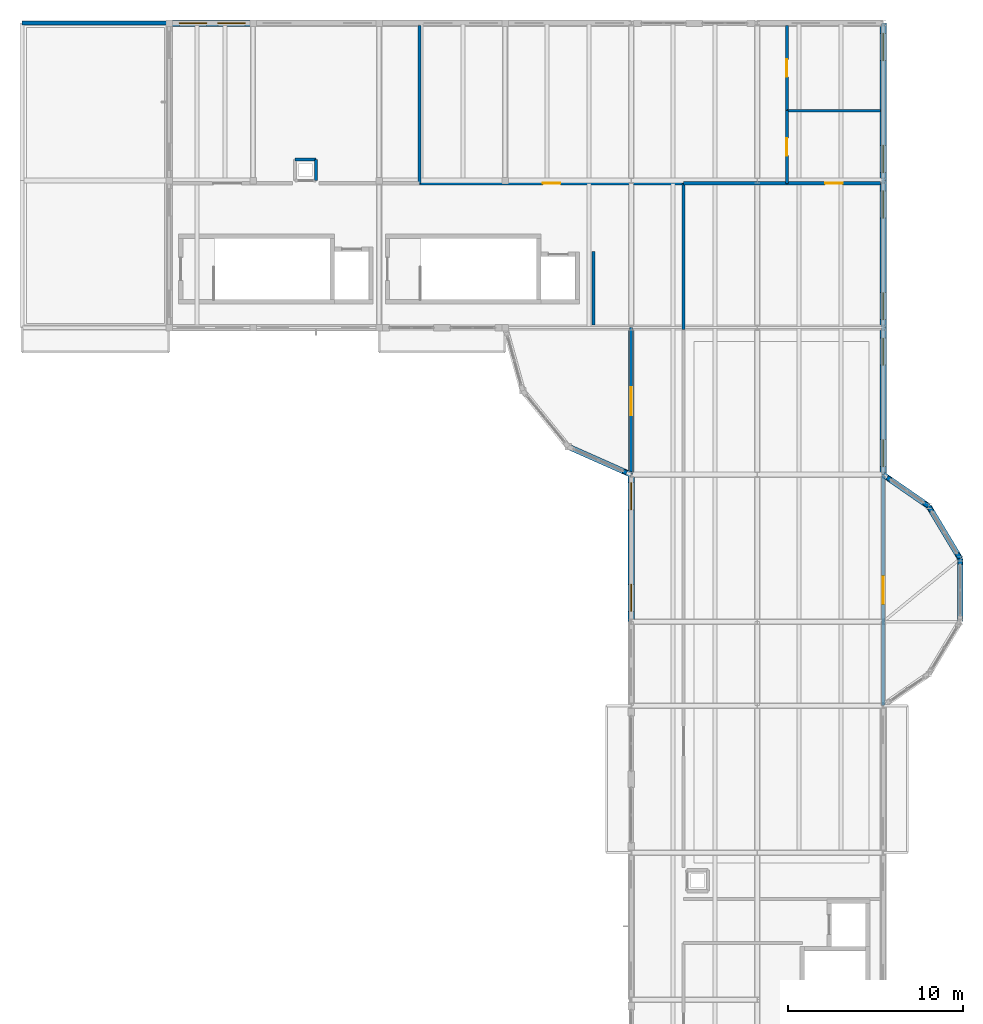
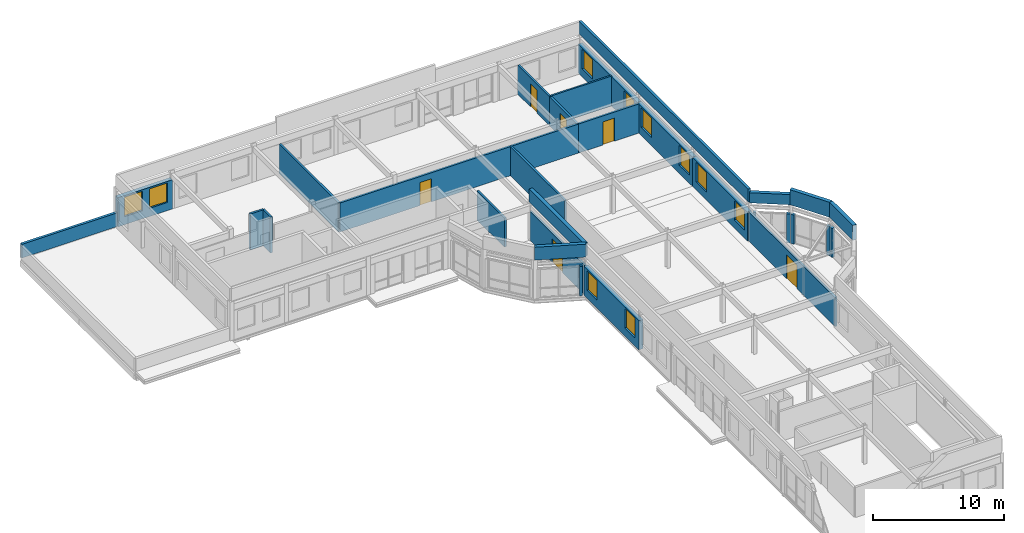
# One storey, part 18 of 21: 31 walls, 10 windows, 6 doors, 16 openings.
"""IFC4 building model written with IfcOpenShell, lengths in metres."""

from ifc_helpers import new_model, si_unit, direction, frame, frame_2d, origin, place, context, subcontext, project, spatial, rectangle, extrude, material, layer, layer_set, type_object, element, fill, save


model = new_model("IFC4")

# Units and contexts
model_context = context("Model", 3, precision=1e-05, world=origin(), true_north=direction((0.0, 1.0)))
body_context = subcontext(model_context, "Body", "Model", "MODEL_VIEW")
ifc_project = project(units=[si_unit("LENGTHUNIT", "METRE"), si_unit("AREAUNIT", "SQUARE_METRE"), si_unit("VOLUMEUNIT", "CUBIC_METRE"), si_unit("PLANEANGLEUNIT", "RADIAN"), si_unit("MASSUNIT", "GRAM", prefix="KILO")], contexts=[model_context])

# Site, building, storey
site_placement = place(None, origin())
site = spatial("IfcSite", under=ifc_project, at=site_placement, CompositionType="ELEMENT")
building_placement = place(site_placement, origin())
building = spatial("IfcBuilding", under=site, at=building_placement, Name="Kahlenmark Community Centre", CompositionType="ELEMENT")
storey_placement = place(building_placement, frame((0.0, 0.0, 21.60009765625)))
storey = spatial("IfcBuildingStorey", under=building, at=storey_placement, Name="L05", CompositionType="ELEMENT", Elevation=21.60009765625)

# Walls
ifc_material_1 = material(Name="Cross-laminated timber CLT C24", Category="wood")
ifc_layer_1 = layer(ifc_material_1, 0.239990234375)
ifc_layer_set_1 = layer_set([ifc_layer_1], Name="Cross-laminated timber CLT C24")
wall_type_1 = type_object("IfcWallType", Name="WT-EW-240", PredefinedType="SOLIDWALL", material=ifc_layer_set_1)
for number, where, z_axis, x_axis, name in (
    (1, (91.199951171875, 84.06005859375, 0.0), (0.0, 0.0, 1.0), (0.0, 1.0, 0.0), "Rotunda pier closure 0761"),
    (2, (91.199951171875, 84.39990234375, 0.0), (0.0, 0.0, 1.0), (-0.514284482632, 0.857619653998, 0.0), "Rotunda pier closure 0762"),
):
    element("IfcWall", number, at=place(storey_placement, frame(where, z_axis=z_axis, x_axis=x_axis)), inside=storey, type_object=wall_type_1, Name=name, PredefinedType="SOLIDWALL", context=body_context, shape_type="SweptSolid", body=[
        extrude(rectangle(XDim=0.33984375, YDim=0.239990234375, at=frame_2d((0.169921875, 0.0))), origin(), (0.0, 0.0, 1.0), 2.7099609375),
    ])
wall_1_placement = place(storey_placement, frame((89.574951171875, 87.1083984375, 0.0), z_axis=(0.0, 0.0, 1.0), x_axis=(-0.514812489021, 0.857302805984, 0.0)))
element("IfcWall", 3, at=wall_1_placement, inside=storey, type_object=wall_type_1, Name="Rotunda pier closure 0763", PredefinedType="SOLIDWALL", context=body_context, shape_type="SweptSolid", body=[
    extrude(rectangle(XDim=0.340087890625, YDim=0.239990234375, at=frame_2d((0.169921875, 0.0))), origin(), (0.0, 0.0, 1.0), 2.7099609375),
])
wall_2_placement = place(storey_placement, frame((89.39990234375, 87.39990234375, 0.0), z_axis=(0.0, 0.0, 1.0), x_axis=(-0.821855834467, 0.569695521619, 0.0)))
element("IfcWall", 4, at=wall_2_placement, inside=storey, type_object=wall_type_1, Name="Rotunda pier closure 0764", PredefinedType="SOLIDWALL", context=body_context, shape_type="SweptSolid", body=[
    extrude(rectangle(XDim=0.33984375, YDim=0.239990234375, at=frame_2d((0.169921875, 0.0))), origin(), (0.0, 0.0, 1.0), 2.7099609375),
])
for number, where, z_axis, x_axis, name in (
    (5, (87.211181640625, 88.915283203125, 0.0), (0.0, 0.0, 1.0), (-0.822192191644, 0.56920997883, 0.0), "Rotunda pier closure 0765"),
    (6, (71.943115234375, 89.403076171875, 0.0), (0.0, 0.0, 1.0), (0.913719959968, -0.406344477944, 0.0), "Rotunda pier closure 0803"),
):
    element("IfcWall", number, at=place(storey_placement, frame(where, z_axis=z_axis, x_axis=x_axis)), inside=storey, type_object=wall_type_1, Name=name, PredefinedType="SOLIDWALL", context=body_context, shape_type="SweptSolid", body=[
        extrude(rectangle(XDim=0.219970703125, YDim=0.239990234375, at=frame_2d((0.10986328125, 0.0))), origin(), (0.0, 0.0, 1.0), 2.7099609375),
    ])

# Wall, openings, windows
ifc_material_2 = material(Name="Danube limestone masonry", Category="masonry")
ifc_layer_2 = layer(ifc_material_2, 0.360107421875)
ifc_layer_set_2 = layer_set([ifc_layer_2], Name="Danube limestone masonry")
wall_type_2 = type_object("IfcWallType", Name="WT-EW-360", PredefinedType="SOLIDWALL", material=ifc_layer_set_2)
wall_3_placement = place(storey_placement, frame((50.800048828125, 115.0, 0.0), z_axis=(0.0, 0.0, 1.0), x_axis=(-1.0, 0.0, 0.0)))
wall_3 = element("IfcWall", 7, at=wall_3_placement, inside=storey, type_object=wall_type_2, Name="Exterior wall WL-EXT-L05-0672", PredefinedType="SOLIDWALL", context=body_context, shape_type="SweptSolid", body=[
    extrude(rectangle(XDim=4.800048828125, YDim=0.360107421875, at=frame_2d((2.39990234375, 0.0))), origin(), (0.0, 0.0, 1.0), 2.7099609375),
])
opening_1_placement = place(wall_3_placement, frame((0.4599609375, 0.0, 0.75)))
opening_1 = element("IfcOpeningElement", 8, at=opening_1_placement, cuts=wall_3, Name="Opening W-155X182", PredefinedType="OPENING", context=body_context, shape_type="SweptSolid", body=[
    extrude(rectangle(XDim=1.550048828125, YDim=1.820068359375, at=frame_2d((0.77490234375, 0.91015625))), frame((0.0, 0.18994140625, 0.0), z_axis=(0.0, -1.0, 0.0), x_axis=(1.0, 0.0, 0.0)), (0.0, 0.0, 1.0), 0.380126953125),
])
opening_2_placement = place(wall_3_placement, frame((2.659912109375, 0.0, 0.75)))
opening_2 = element("IfcOpeningElement", 9, at=opening_2_placement, cuts=wall_3, Name="Opening W-155X182", PredefinedType="OPENING", context=body_context, shape_type="SweptSolid", body=[
    extrude(rectangle(XDim=1.550048828125, YDim=1.820068359375, at=frame_2d((0.77490234375, 0.91015625))), frame((0.0, 0.18994140625, 0.0), z_axis=(0.0, -1.0, 0.0), x_axis=(1.0, 0.0, 0.0)), (0.0, 0.0, 1.0), 0.380126953125),
])
ifc_material_3 = material(Name="Deep-reveal limestone punched triple glazing", Category="masonry")
window_type = type_object("IfcWindowType", Name="WNT-155X182", PartitioningType="DOUBLE_PANEL_HORIZONTAL", PredefinedType="WINDOW", material=ifc_material_3)
window_1_placement = place(opening_1_placement, origin())
window_1 = element("IfcWindow", 10, at=window_1_placement, inside=storey, type_object=window_type, Name="Window W-155X182 #0451", OverallHeight=1.820068359375, OverallWidth=1.550048828125, PartitioningType="DOUBLE_PANEL_HORIZONTAL", PredefinedType="WINDOW", context=body_context, shape_type="SweptSolid", body=[
    extrude(rectangle(XDim=1.550048828125, YDim=1.820068359375, at=frame_2d((0.77490234375, 0.91015625))), frame((0.0, 0.030029296875, 0.0), z_axis=(0.0, -1.0, 0.0), x_axis=(1.0, 0.0, 0.0)), (0.0, 0.0, 1.0), 0.06005859375),
])
fill(opening_1, window_1)
window_2_placement = place(opening_2_placement, origin())
window_2 = element("IfcWindow", 11, at=window_2_placement, inside=storey, type_object=window_type, Name="Window W-155X182 #0452", OverallHeight=1.820068359375, OverallWidth=1.550048828125, PartitioningType="DOUBLE_PANEL_HORIZONTAL", PredefinedType="WINDOW", context=body_context, shape_type="SweptSolid", body=[
    extrude(rectangle(XDim=1.550048828125, YDim=1.820068359375, at=frame_2d((0.77490234375, 0.91015625))), frame((0.0, 0.030029296875, 0.0), z_axis=(0.0, -1.0, 0.0), x_axis=(1.0, 0.0, 0.0)), (0.0, 0.0, 1.0), 0.06005859375),
])
fill(opening_2, window_2)

wall_4_placement = place(storey_placement, frame((86.800048828125, 97.60009765625, 0.0), z_axis=(0.0, 0.0, 1.0), x_axis=(0.0, 1.0, 0.0)))
wall_4 = element("IfcWall", 12, at=wall_4_placement, inside=storey, type_object=wall_type_2, Name="Exterior wall WL-EXT-L05-0682", PredefinedType="SOLIDWALL", context=body_context, shape_type="SweptSolid", body=[
    extrude(rectangle(XDim=8.39990234375, YDim=0.360107421875, at=frame_2d((4.199951171875, 0.0))), origin(), (0.0, 0.0, 1.0), 2.7099609375),
])
opening_3_placement = place(wall_4_placement, frame((0.4599609375, 0.0, 0.75)))
opening_3 = element("IfcOpeningElement", 13, at=opening_3_placement, cuts=wall_4, Name="Opening W-155X182", PredefinedType="OPENING", context=body_context, shape_type="SweptSolid", body=[
    extrude(rectangle(XDim=1.550048828125, YDim=1.820068359375, at=frame_2d((0.77490234375, 0.91015625))), frame((0.0, 0.18994140625, 0.0), z_axis=(0.0, -1.0, 0.0), x_axis=(1.0, 0.0, 0.0)), (0.0, 0.0, 1.0), 0.380126953125),
])
opening_4_placement = place(wall_4_placement, frame((6.260009765625, 0.0, 0.75)))
opening_4 = element("IfcOpeningElement", 14, at=opening_4_placement, cuts=wall_4, Name="Opening W-155X182", PredefinedType="OPENING", context=body_context, shape_type="SweptSolid", body=[
    extrude(rectangle(XDim=1.550048828125, YDim=1.820068359375, at=frame_2d((0.77490234375, 0.91015625))), frame((0.0, 0.18994140625, 0.0), z_axis=(0.0, -1.0, 0.0), x_axis=(1.0, 0.0, 0.0)), (0.0, 0.0, 1.0), 0.380126953125),
])
window_3_placement = place(opening_3_placement, origin())
window_3 = element("IfcWindow", 15, at=window_3_placement, inside=storey, type_object=window_type, Name="Window W-155X182 #0465", OverallHeight=1.820068359375, OverallWidth=1.550048828125, PartitioningType="DOUBLE_PANEL_HORIZONTAL", PredefinedType="WINDOW", context=body_context, shape_type="SweptSolid", body=[
    extrude(rectangle(XDim=1.550048828125, YDim=1.820068359375, at=frame_2d((0.77490234375, 0.91015625))), frame((0.0, 0.030029296875, 0.0), z_axis=(0.0, -1.0, 0.0), x_axis=(1.0, 0.0, 0.0)), (0.0, 0.0, 1.0), 0.06005859375),
])
fill(opening_3, window_3)
window_4_placement = place(opening_4_placement, origin())
window_4 = element("IfcWindow", 16, at=window_4_placement, inside=storey, type_object=window_type, Name="Window W-155X182 #0466", OverallHeight=1.820068359375, OverallWidth=1.550048828125, PartitioningType="DOUBLE_PANEL_HORIZONTAL", PredefinedType="WINDOW", context=body_context, shape_type="SweptSolid", body=[
    extrude(rectangle(XDim=1.550048828125, YDim=1.820068359375, at=frame_2d((0.77490234375, 0.91015625))), frame((0.0, 0.030029296875, 0.0), z_axis=(0.0, -1.0, 0.0), x_axis=(1.0, 0.0, 0.0)), (0.0, 0.0, 1.0), 0.06005859375),
])
fill(opening_4, window_4)

wall_5_placement = place(storey_placement, frame((86.800048828125, 106.0, 0.0), z_axis=(0.0, 0.0, 1.0), x_axis=(0.0, 1.0, 0.0)))
wall_5 = element("IfcWall", 17, at=wall_5_placement, inside=storey, type_object=wall_type_2, Name="Exterior wall WL-EXT-L05-0683", PredefinedType="SOLIDWALL", context=body_context, shape_type="SweptSolid", body=[
    extrude(rectangle(XDim=9.0, YDim=0.360107421875, at=frame_2d((4.5, 0.0))), origin(), (0.0, 0.0, 1.0), 2.7099609375),
])
opening_5_placement = place(wall_5_placement, frame((0.4599609375, 0.0, 0.75)))
opening_5 = element("IfcOpeningElement", 18, at=opening_5_placement, cuts=wall_5, Name="Opening W-155X182", PredefinedType="OPENING", context=body_context, shape_type="SweptSolid", body=[
    extrude(rectangle(XDim=1.550048828125, YDim=1.820068359375, at=frame_2d((0.77490234375, 0.91015625))), frame((0.0, 0.18994140625, 0.0), z_axis=(0.0, -1.0, 0.0), x_axis=(1.0, 0.0, 0.0)), (0.0, 0.0, 1.0), 0.380126953125),
])
opening_6_placement = place(wall_5_placement, frame((6.860107421875, 0.0, 0.75)))
opening_6 = element("IfcOpeningElement", 19, at=opening_6_placement, cuts=wall_5, Name="Opening W-155X182", PredefinedType="OPENING", context=body_context, shape_type="SweptSolid", body=[
    extrude(rectangle(XDim=1.550048828125, YDim=1.820068359375, at=frame_2d((0.77490234375, 0.91015625))), frame((0.0, 0.18994140625, 0.0), z_axis=(0.0, -1.0, 0.0), x_axis=(1.0, 0.0, 0.0)), (0.0, 0.0, 1.0), 0.380126953125),
])
window_5_placement = place(opening_5_placement, origin())
window_5 = element("IfcWindow", 20, at=window_5_placement, inside=storey, type_object=window_type, Name="Window W-155X182 #0467", OverallHeight=1.820068359375, OverallWidth=1.550048828125, PartitioningType="DOUBLE_PANEL_HORIZONTAL", PredefinedType="WINDOW", context=body_context, shape_type="SweptSolid", body=[
    extrude(rectangle(XDim=1.550048828125, YDim=1.820068359375, at=frame_2d((0.77490234375, 0.91015625))), frame((0.0, 0.030029296875, 0.0), z_axis=(0.0, -1.0, 0.0), x_axis=(1.0, 0.0, 0.0)), (0.0, 0.0, 1.0), 0.06005859375),
])
fill(opening_5, window_5)
window_6_placement = place(opening_6_placement, origin())
window_6 = element("IfcWindow", 21, at=window_6_placement, inside=storey, type_object=window_type, Name="Window W-155X182 #0468", OverallHeight=1.820068359375, OverallWidth=1.550048828125, PartitioningType="DOUBLE_PANEL_HORIZONTAL", PredefinedType="WINDOW", context=body_context, shape_type="SweptSolid", body=[
    extrude(rectangle(XDim=1.550048828125, YDim=1.820068359375, at=frame_2d((0.77490234375, 0.91015625))), frame((0.0, 0.030029296875, 0.0), z_axis=(0.0, -1.0, 0.0), x_axis=(1.0, 0.0, 0.0)), (0.0, 0.0, 1.0), 0.06005859375),
])
fill(opening_6, window_6)

wall_6_placement = place(storey_placement, frame((72.39990234375, 89.199951171875, 0.0), z_axis=(0.0, 0.0, 1.0), x_axis=(0.0, -1.0, 0.0)))
wall_6 = element("IfcWall", 22, at=wall_6_placement, inside=storey, type_object=wall_type_2, Name="Exterior wall WL-EXT-L05-0696", PredefinedType="SOLIDWALL", context=body_context, shape_type="SweptSolid", body=[
    extrude(rectangle(XDim=8.39990234375, YDim=0.360107421875, at=frame_2d((4.199951171875, 0.0))), origin(), (0.0, 0.0, 1.0), 2.7099609375),
])
opening_7_placement = place(wall_6_placement, frame((0.4599609375, 0.0, 0.75)))
opening_7 = element("IfcOpeningElement", 23, at=opening_7_placement, cuts=wall_6, Name="Opening W-155X182", PredefinedType="OPENING", context=body_context, shape_type="SweptSolid", body=[
    extrude(rectangle(XDim=1.550048828125, YDim=1.820068359375, at=frame_2d((0.77490234375, 0.91015625))), frame((0.0, 0.18994140625, 0.0), z_axis=(0.0, -1.0, 0.0), x_axis=(1.0, 0.0, 0.0)), (0.0, 0.0, 1.0), 0.380126953125),
])
opening_8_placement = place(wall_6_placement, frame((6.260009765625, 0.0, 0.75)))
opening_8 = element("IfcOpeningElement", 24, at=opening_8_placement, cuts=wall_6, Name="Opening W-155X182", PredefinedType="OPENING", context=body_context, shape_type="SweptSolid", body=[
    extrude(rectangle(XDim=1.550048828125, YDim=1.820068359375, at=frame_2d((0.77490234375, 0.91015625))), frame((0.0, 0.18994140625, 0.0), z_axis=(0.0, -1.0, 0.0), x_axis=(1.0, 0.0, 0.0)), (0.0, 0.0, 1.0), 0.380126953125),
])
window_7_placement = place(opening_7_placement, origin())
window_7 = element("IfcWindow", 25, at=window_7_placement, inside=storey, type_object=window_type, Name="Window W-155X182 #0475", OverallHeight=1.820068359375, OverallWidth=1.550048828125, PartitioningType="DOUBLE_PANEL_HORIZONTAL", PredefinedType="WINDOW", context=body_context, shape_type="SweptSolid", body=[
    extrude(rectangle(XDim=1.550048828125, YDim=1.820068359375, at=frame_2d((0.77490234375, 0.91015625))), frame((0.0, 0.030029296875, 0.0), z_axis=(0.0, -1.0, 0.0), x_axis=(1.0, 0.0, 0.0)), (0.0, 0.0, 1.0), 0.06005859375),
])
fill(opening_7, window_7)
window_8_placement = place(opening_8_placement, origin())
window_8 = element("IfcWindow", 26, at=window_8_placement, inside=storey, type_object=window_type, Name="Window W-155X182 #0476", OverallHeight=1.820068359375, OverallWidth=1.550048828125, PartitioningType="DOUBLE_PANEL_HORIZONTAL", PredefinedType="WINDOW", context=body_context, shape_type="SweptSolid", body=[
    extrude(rectangle(XDim=1.550048828125, YDim=1.820068359375, at=frame_2d((0.77490234375, 0.91015625))), frame((0.0, 0.030029296875, 0.0), z_axis=(0.0, -1.0, 0.0), x_axis=(1.0, 0.0, 0.0)), (0.0, 0.0, 1.0), 0.06005859375),
])
fill(opening_8, window_8)

wall_7_placement = place(storey_placement, frame((86.800048828125, 89.199951171875, 0.0), z_axis=(0.0, 0.0, 1.0), x_axis=(0.0, 1.0, 0.0)))
wall_7 = element("IfcWall", 27, at=wall_7_placement, inside=storey, type_object=wall_type_2, Name="Exterior wall WL-EXT-L05-0702", PredefinedType="SOLIDWALL", context=body_context, shape_type="SweptSolid", body=[
    extrude(rectangle(XDim=8.400146484375, YDim=0.360107421875, at=frame_2d((4.2001953125, 0.0))), origin(), (0.0, 0.0, 1.0), 2.7099609375),
])
opening_9_placement = place(wall_7_placement, frame((0.4599609375, 0.0, 0.75)))
opening_9 = element("IfcOpeningElement", 28, at=opening_9_placement, cuts=wall_7, Name="Opening W-155X182", PredefinedType="OPENING", context=body_context, shape_type="SweptSolid", body=[
    extrude(rectangle(XDim=1.550048828125, YDim=1.820068359375, at=frame_2d((0.77490234375, 0.91015625))), frame((0.0, 0.18994140625, 0.0), z_axis=(0.0, -1.0, 0.0), x_axis=(1.0, 0.0, 0.0)), (0.0, 0.0, 1.0), 0.380126953125),
])
opening_10_placement = place(wall_7_placement, frame((6.260009765625, 0.0, 0.75)))
opening_10 = element("IfcOpeningElement", 29, at=opening_10_placement, cuts=wall_7, Name="Opening W-155X182", PredefinedType="OPENING", context=body_context, shape_type="SweptSolid", body=[
    extrude(rectangle(XDim=1.550048828125, YDim=1.820068359375, at=frame_2d((0.77490234375, 0.91015625))), frame((0.0, 0.18994140625, 0.0), z_axis=(0.0, -1.0, 0.0), x_axis=(1.0, 0.0, 0.0)), (0.0, 0.0, 1.0), 0.380126953125),
])
window_9_placement = place(opening_9_placement, origin())
window_9 = element("IfcWindow", 30, at=window_9_placement, inside=storey, type_object=window_type, Name="Window W-155X182 #0481", OverallHeight=1.820068359375, OverallWidth=1.550048828125, PartitioningType="DOUBLE_PANEL_HORIZONTAL", PredefinedType="WINDOW", context=body_context, shape_type="SweptSolid", body=[
    extrude(rectangle(XDim=1.550048828125, YDim=1.820068359375, at=frame_2d((0.77490234375, 0.91015625))), frame((0.0, 0.030029296875, 0.0), z_axis=(0.0, -1.0, 0.0), x_axis=(1.0, 0.0, 0.0)), (0.0, 0.0, 1.0), 0.06005859375),
])
fill(opening_9, window_9)
window_10_placement = place(opening_10_placement, origin())
window_10 = element("IfcWindow", 31, at=window_10_placement, inside=storey, type_object=window_type, Name="Window W-155X182 #0482", OverallHeight=1.820068359375, OverallWidth=1.550048828125, PartitioningType="DOUBLE_PANEL_HORIZONTAL", PredefinedType="WINDOW", context=body_context, shape_type="SweptSolid", body=[
    extrude(rectangle(XDim=1.550048828125, YDim=1.820068359375, at=frame_2d((0.77490234375, 0.91015625))), frame((0.0, 0.030029296875, 0.0), z_axis=(0.0, -1.0, 0.0), x_axis=(1.0, 0.0, 0.0)), (0.0, 0.0, 1.0), 0.06005859375),
])
fill(opening_10, window_10)

# Walls
ifc_material_4 = material(Name="Concrete C30/37", Category="concrete")
ifc_layer_3 = layer(ifc_material_4, 0.219970703125)
ifc_layer_set_3 = layer_set([ifc_layer_3], Name="Concrete C30/37")
wall_type_3 = type_object("IfcWallType", Name="WT-PAR-220", PredefinedType="PARAPET", material=ifc_layer_set_3)
wall_8_placement = place(storey_placement, frame((37.60009765625, 115.0, 0.0), z_axis=(0.0, 0.0, 1.0), x_axis=(1.0, 0.0, 0.0)))
element("IfcWall", 32, at=wall_8_placement, inside=storey, type_object=wall_type_3, Name="Roof parapet 1056", PredefinedType="PARAPET", context=body_context, shape_type="SweptSolid", body=[
    extrude(rectangle(XDim=8.39990234375, YDim=0.219970703125, at=frame_2d((4.199951171875, 0.0))), origin(), (0.0, 0.0, 1.0), 1.27978515625),
])
wall_9_placement = place(storey_placement, frame((86.800048828125, 89.199951171875, 3.599853515625), z_axis=(0.0, 0.0, 1.0), x_axis=(0.0, 1.0, 0.0)))
element("IfcWall", 33, at=wall_9_placement, inside=storey, type_object=wall_type_3, Name="Roof parapet 1063", PredefinedType="PARAPET", context=body_context, shape_type="SweptSolid", body=[
    extrude(rectangle(XDim=25.800048828125, YDim=0.219970703125, at=frame_2d((12.89990234375, 0.0))), origin(), (0.0, 0.0, 1.0), 1.199951171875),
])
ifc_layer_4 = layer(ifc_material_2, 0.320068359375)
ifc_layer_set_4 = layer_set([ifc_layer_4], Name="Danube limestone masonry")
wall_type_4 = type_object("IfcWallType", Name="WT-PAR-PED320", PredefinedType="PARAPET", material=ifc_layer_set_4)
wall_10_placement = place(storey_placement, frame((91.199951171875, 80.800048828125, 3.599853515625), z_axis=(0.0, 0.0, 1.0), x_axis=(0.0, 1.0, 0.0)))
element("IfcWall", 34, at=wall_10_placement, inside=storey, type_object=wall_type_4, Name="Postmodern rotunda drum crown 0768", PredefinedType="PARAPET", context=body_context, shape_type="SweptSolid", body=[
    extrude(rectangle(XDim=3.599853515625, YDim=0.320068359375, at=frame_2d((1.7998046875, 0.0))), origin(), (0.0, 0.0, 1.0), 1.400146484375),
])
wall_11_placement = place(storey_placement, frame((91.199951171875, 84.39990234375, 3.599853515625), z_axis=(0.0, 0.0, 1.0), x_axis=(-0.514506017516, 0.857486768376, 0.0)))
element("IfcWall", 35, at=wall_11_placement, inside=storey, type_object=wall_type_4, Name="Postmodern rotunda drum crown 0769", PredefinedType="PARAPET", context=body_context, shape_type="SweptSolid", body=[
    extrude(rectangle(XDim=3.49853515625, YDim=0.320068359375, at=frame_2d((1.749267578125, 0.0))), origin(), (0.0, 0.0, 1.0), 1.400146484375),
])
wall_12_placement = place(storey_placement, frame((89.39990234375, 87.39990234375, 3.599853515625), z_axis=(0.0, 0.0, 1.0), x_axis=(-0.8221699556, 0.569242096219, 0.0)))
element("IfcWall", 36, at=wall_12_placement, inside=storey, type_object=wall_type_4, Name="Postmodern rotunda drum crown 0770", PredefinedType="PARAPET", context=body_context, shape_type="SweptSolid", body=[
    extrude(rectangle(XDim=3.162109375, YDim=0.320068359375, at=frame_2d((1.5810546875, 0.0))), origin(), (0.0, 0.0, 1.0), 0.949951171875),
])
wall_13_placement = place(storey_placement, frame((68.800048828125, 90.800048828125, 3.599853515625), z_axis=(0.0, 0.0, 1.0), x_axis=(0.913796214371, -0.40617296636, 0.0)))
element("IfcWall", 37, at=wall_13_placement, inside=storey, type_object=wall_type_4, Name="Postmodern rotunda drum crown 0806", PredefinedType="PARAPET", context=body_context, shape_type="SweptSolid", body=[
    extrude(rectangle(XDim=3.939453125, YDim=0.320068359375, at=frame_2d((1.9697265625, 0.0))), origin(), (0.0, 0.0, 1.0), 1.199951171875),
])
wall_14_placement = place(storey_placement, frame((72.39990234375, 89.199951171875, 3.599853515625), z_axis=(0.0, 0.0, 1.0), x_axis=(0.0, 1.0, 0.0)))
element("IfcWall", 38, at=wall_14_placement, inside=storey, type_object=wall_type_4, Name="Postmodern rotunda drum crown 0807", PredefinedType="PARAPET", context=body_context, shape_type="SweptSolid", body=[
    extrude(rectangle(XDim=8.400146484375, YDim=0.320068359375, at=frame_2d((4.2001953125, 0.0))), origin(), (0.0, 0.0, 1.0), 1.199951171875),
])
ifc_material_5 = material(Name="Gypsum plasterboard partition", Category="gypsum")
ifc_layer_5 = layer(ifc_material_5, 0.14990234375)
ifc_layer_set_5 = layer_set([ifc_layer_5], Name="Gypsum plasterboard partition")
wall_type_5 = type_object("IfcWallType", Name="WT-PW-150", PredefinedType="PARTITIONING", material=ifc_layer_set_5)
wall_15_placement = place(storey_placement, frame((81.300048828125, 110.0, 0.0), z_axis=(0.0, 0.0, 1.0), x_axis=(1.0, 0.0, 0.0)))
element("IfcWall", 39, at=wall_15_placement, inside=storey, type_object=wall_type_5, Name="Interior partition WL-INT-L05-0285", PredefinedType="PARTITIONING", context=body_context, shape_type="SweptSolid", body=[
    extrude(rectangle(XDim=5.35986328125, YDim=0.14990234375, at=frame_2d((2.679931640625, 0.0))), origin(), (0.0, 0.0, 1.0), 2.789794921875),
])
ifc_layer_6 = layer(ifc_material_5, 0.179931640625)
ifc_layer_set_6 = layer_set([ifc_layer_6], Name="Gypsum plasterboard partition")
wall_type_6 = type_object("IfcWallType", Name="WT-PW-180", PredefinedType="PARTITIONING", material=ifc_layer_set_6)
wall_16_placement = place(storey_placement, frame((70.25, 97.760009765625, 0.0), z_axis=(0.0, 0.0, 1.0), x_axis=(0.0, 1.0, 0.0)))
element("IfcWall", 40, at=wall_16_placement, inside=storey, type_object=wall_type_6, Name="Interior partition WL-INT-L05-0276", PredefinedType="PARTITIONING", context=body_context, shape_type="SweptSolid", body=[
    extrude(rectangle(XDim=4.18994140625, YDim=0.179931640625, at=frame_2d((2.094970703125, 0.0))), origin(), (0.0, 0.0, 1.0), 2.7099609375),
])

# Wall, opening, door
wall_17_placement = place(storey_placement, frame((60.300048828125, 105.85009765625, 0.0), z_axis=(0.0, 0.0, 1.0), x_axis=(1.0, 0.0, 0.0)))
wall_17 = element("IfcWall", 41, at=wall_17_placement, inside=storey, type_object=wall_type_6, Name="Interior partition WL-INT-L05-0279", PredefinedType="PARTITIONING", context=body_context, shape_type="SweptSolid", body=[
    extrude(rectangle(XDim=15.099853515625, YDim=0.179931640625, at=frame_2d((7.5498046875, 0.0))), origin(), (0.0, 0.0, 1.0), 2.7099609375),
])
opening_11_placement = place(wall_17_placement, frame((7.050048828125, 0.0, -0.010009765625)))
opening_11 = element("IfcOpeningElement", 42, at=opening_11_placement, cuts=wall_17, Name="Opening D-L05-159", PredefinedType="OPENING", context=body_context, shape_type="SweptSolid", body=[
    extrude(rectangle(XDim=1.0, YDim=2.159912109375, at=frame_2d((0.5, 1.080078125))), frame((0.0, 0.099853515625, 0.0), z_axis=(0.0, -1.0, 0.0), x_axis=(1.0, 0.0, 0.0)), (0.0, 0.0, 1.0), 0.199951171875),
])
ifc_material_6 = material(Name="Oak timber veneer door leaf", Category="wood")
door_type_1 = type_object("IfcDoorType", Name="DT-INT-100X215", OperationType="NOTDEFINED", PredefinedType="DOOR", material=ifc_material_6)
door_1_placement = place(opening_11_placement, frame((1.0, 0.0, 0.010009765625), z_axis=(0.0, 0.0, 1.0), x_axis=(-1.0, 0.0, 0.0)))
door_1 = element("IfcDoor", 43, at=door_1_placement, inside=storey, type_object=door_type_1, Name="Interior door D-L05-159", OperationType="SINGLE_SWING_RIGHT", OverallHeight=2.14990234375, OverallWidth=1.0, PredefinedType="DOOR", context=body_context, shape_type="SweptSolid", body=[
    extrude(rectangle(XDim=1.0, YDim=2.14990234375, at=frame_2d((0.5, 1.074951171875))), frame((0.0, 0.02490234375, 0.0), z_axis=(0.0, -1.0, 0.0), x_axis=(1.0, 0.0, 0.0)), (0.0, 0.0, 1.0), 0.050048828125),
])
fill(opening_11, door_1)

# Wall
wall_18_placement = place(storey_placement, frame((75.39990234375, 105.85009765625, 0.0), z_axis=(0.0, 0.0, 1.0), x_axis=(1.0, 0.0, 0.0)))
element("IfcWall", 44, at=wall_18_placement, inside=storey, type_object=wall_type_6, Name="Interior partition WL-INT-L05-0280", PredefinedType="PARTITIONING", context=body_context, shape_type="SweptSolid", body=[
    extrude(rectangle(XDim=5.900146484375, YDim=0.179931640625, at=frame_2d((2.9501953125, 0.0))), origin(), (0.0, 0.0, 1.0), 2.7099609375),
])

# Wall, opening, door
wall_19_placement = place(storey_placement, frame((81.300048828125, 105.85009765625, 0.0), z_axis=(0.0, 0.0, 1.0), x_axis=(1.0, 0.0, 0.0)))
wall_19 = element("IfcWall", 45, at=wall_19_placement, inside=storey, type_object=wall_type_6, Name="Interior partition WL-INT-L05-0281", PredefinedType="PARTITIONING", context=body_context, shape_type="SweptSolid", body=[
    extrude(rectangle(XDim=5.35986328125, YDim=0.179931640625, at=frame_2d((2.679931640625, 0.0))), origin(), (0.0, 0.0, 1.0), 2.7099609375),
])
opening_12_placement = place(wall_19_placement, frame((2.179931640625, 0.0, -0.010009765625)))
opening_12 = element("IfcOpeningElement", 46, at=opening_12_placement, cuts=wall_19, Name="Opening D-L05-160", PredefinedType="OPENING", context=body_context, shape_type="SweptSolid", body=[
    extrude(rectangle(XDim=1.0, YDim=2.159912109375, at=frame_2d((0.5, 1.080078125))), frame((0.0, 0.099853515625, 0.0), z_axis=(0.0, -1.0, 0.0), x_axis=(1.0, 0.0, 0.0)), (0.0, 0.0, 1.0), 0.199951171875),
])
door_2_placement = place(opening_12_placement, frame((0.0, 0.0, 0.010009765625)))
door_2 = element("IfcDoor", 47, at=door_2_placement, inside=storey, type_object=door_type_1, Name="Interior door D-L05-160", OperationType="SINGLE_SWING_LEFT", OverallHeight=2.14990234375, OverallWidth=1.0, PredefinedType="DOOR", context=body_context, shape_type="SweptSolid", body=[
    extrude(rectangle(XDim=1.0, YDim=2.14990234375, at=frame_2d((0.5, 1.074951171875))), frame((0.0, 0.02490234375, 0.0), z_axis=(0.0, -1.0, 0.0), x_axis=(1.0, 0.0, 0.0)), (0.0, 0.0, 1.0), 0.050048828125),
])
fill(opening_12, door_2)

# Wall
wall_20_placement = place(storey_placement, frame((60.300048828125, 105.85009765625, 0.0), z_axis=(0.0, 0.0, 1.0), x_axis=(0.0, 1.0, 0.0)))
element("IfcWall", 48, at=wall_20_placement, inside=storey, type_object=wall_type_6, Name="Interior partition WL-INT-L05-0282", PredefinedType="PARTITIONING", context=body_context, shape_type="SweptSolid", body=[
    extrude(rectangle(XDim=9.010009765625, YDim=0.179931640625, at=frame_2d((4.5048828125, 0.0))), origin(), (0.0, 0.0, 1.0), 2.7099609375),
])

# Wall, opening, door
wall_21_placement = place(storey_placement, frame((81.300048828125, 105.85009765625, 0.0), z_axis=(0.0, 0.0, 1.0), x_axis=(0.0, 1.0, 0.0)))
wall_21 = element("IfcWall", 49, at=wall_21_placement, inside=storey, type_object=wall_type_6, Name="Interior partition WL-INT-L05-0283", PredefinedType="PARTITIONING", context=body_context, shape_type="SweptSolid", body=[
    extrude(rectangle(XDim=4.14990234375, YDim=0.179931640625, at=frame_2d((2.074951171875, 0.0))), origin(), (0.0, 0.0, 1.0), 2.7099609375),
])
opening_13_placement = place(wall_21_placement, frame((1.574951171875, 0.0, -0.010009765625)))
opening_13 = element("IfcOpeningElement", 50, at=opening_13_placement, cuts=wall_21, Name="Opening D-L05-161", PredefinedType="OPENING", context=body_context, shape_type="SweptSolid", body=[
    extrude(rectangle(XDim=1.0, YDim=2.159912109375, at=frame_2d((0.5, 1.080078125))), frame((0.0, 0.099853515625, 0.0), z_axis=(0.0, -1.0, 0.0), x_axis=(1.0, 0.0, 0.0)), (0.0, 0.0, 1.0), 0.199951171875),
])
door_3_placement = place(opening_13_placement, frame((0.0, 0.0, 0.010009765625)))
door_3 = element("IfcDoor", 51, at=door_3_placement, inside=storey, type_object=door_type_1, Name="Interior door D-L05-161", OperationType="SINGLE_SWING_RIGHT", OverallHeight=2.14990234375, OverallWidth=1.0, PredefinedType="DOOR", context=body_context, shape_type="SweptSolid", body=[
    extrude(rectangle(XDim=1.0, YDim=2.14990234375, at=frame_2d((0.5, 1.074951171875))), frame((0.0, 0.02490234375, 0.0), z_axis=(0.0, -1.0, 0.0), x_axis=(1.0, 0.0, 0.0)), (0.0, 0.0, 1.0), 0.050048828125),
])
fill(opening_13, door_3)

wall_22_placement = place(storey_placement, frame((81.300048828125, 110.0, 0.0), z_axis=(0.0, 0.0, 1.0), x_axis=(0.0, 1.0, 0.0)))
wall_22 = element("IfcWall", 52, at=wall_22_placement, inside=storey, type_object=wall_type_6, Name="Interior partition WL-INT-L05-0284", PredefinedType="PARTITIONING", context=body_context, shape_type="SweptSolid", body=[
    extrude(rectangle(XDim=4.860107421875, YDim=0.179931640625, at=frame_2d((2.43017578125, 0.0))), origin(), (0.0, 0.0, 1.0), 2.7099609375),
])
opening_14_placement = place(wall_22_placement, frame((1.929931640625, 0.0, -0.010009765625)))
opening_14 = element("IfcOpeningElement", 53, at=opening_14_placement, cuts=wall_22, Name="Opening D-L05-162", PredefinedType="OPENING", context=body_context, shape_type="SweptSolid", body=[
    extrude(rectangle(XDim=1.0, YDim=2.159912109375, at=frame_2d((0.5, 1.080078125))), frame((0.0, 0.099853515625, 0.0), z_axis=(0.0, -1.0, 0.0), x_axis=(1.0, 0.0, 0.0)), (0.0, 0.0, 1.0), 0.199951171875),
])
door_4_placement = place(opening_14_placement, frame((1.0, 0.0, 0.010009765625), z_axis=(0.0, 0.0, 1.0), x_axis=(-1.0, 0.0, 0.0)))
door_4 = element("IfcDoor", 54, at=door_4_placement, inside=storey, type_object=door_type_1, Name="Interior door D-L05-162", OperationType="SINGLE_SWING_LEFT", OverallHeight=2.14990234375, OverallWidth=1.0, PredefinedType="DOOR", context=body_context, shape_type="SweptSolid", body=[
    extrude(rectangle(XDim=1.0, YDim=2.14990234375, at=frame_2d((0.5, 1.074951171875))), frame((0.0, 0.02490234375, 0.0), z_axis=(0.0, -1.0, 0.0), x_axis=(1.0, 0.0, 0.0)), (0.0, 0.0, 1.0), 0.050048828125),
])
fill(opening_14, door_4)

# Wall
wall_23_placement = place(storey_placement, frame((75.39990234375, 97.5, 0.0), z_axis=(0.0, 0.0, 1.0), x_axis=(0.0, 1.0, 0.0)))
element("IfcWall", 55, at=wall_23_placement, inside=storey, type_object=wall_type_6, Name="Interior partition WL-INT-L05-0291", PredefinedType="PARTITIONING", context=body_context, shape_type="SweptSolid", body=[
    extrude(rectangle(XDim=8.35009765625, YDim=0.179931640625, at=frame_2d((4.175048828125, 0.0))), origin(), (0.0, 0.0, 1.0), 2.7099609375),
])

# Wall, opening, door
wall_24_placement = place(storey_placement, frame((86.800048828125, 76.0, 0.0), z_axis=(0.0, 0.0, 1.0), x_axis=(0.0, 1.0, 0.0)))
wall_24 = element("IfcWall", 56, at=wall_24_placement, inside=storey, type_object=wall_type_6, Name="Interior partition WL-INT-L05-0292", PredefinedType="PARTITIONING", context=body_context, shape_type="SweptSolid", body=[
    extrude(rectangle(XDim=13.199951171875, YDim=0.179931640625, at=frame_2d((6.60009765625, 0.0))), origin(), (0.0, 0.0, 1.0), 2.7099609375),
])
opening_15_placement = place(wall_24_placement, frame((5.800048828125, 0.0, -0.010009765625)))
opening_15 = element("IfcOpeningElement", 57, at=opening_15_placement, cuts=wall_24, Name="Opening D-L05-165", PredefinedType="OPENING", context=body_context, shape_type="SweptSolid", body=[
    extrude(rectangle(XDim=1.60009765625, YDim=2.2099609375, at=frame_2d((0.800048828125, 1.10498046875))), frame((0.0, 0.099853515625, 0.0), z_axis=(0.0, -1.0, 0.0), x_axis=(1.0, 0.0, 0.0)), (0.0, 0.0, 1.0), 0.199951171875),
])
ifc_material_7 = material(Name="Oak double-leaf acoustic door")
door_type_2 = type_object("IfcDoorType", Name="DT-DBL-160X220", OperationType="NOTDEFINED", PredefinedType="DOOR", material=ifc_material_7)
door_5_placement = place(opening_15_placement, frame((1.60009765625, 0.0, 0.010009765625), z_axis=(0.0, 0.0, 1.0), x_axis=(-1.0, 0.0, 0.0)))
door_5 = element("IfcDoor", 58, at=door_5_placement, inside=storey, type_object=door_type_2, Name="Interior door D-L05-165", OperationType="DOUBLE_SWING_LEFT", OverallHeight=2.199951171875, OverallWidth=1.60009765625, PredefinedType="DOOR", context=body_context, shape_type="SweptSolid", body=[
    extrude(rectangle(XDim=1.60009765625, YDim=2.199951171875, at=frame_2d((0.800048828125, 1.10009765625))), frame((0.0, 0.02490234375, 0.0), z_axis=(0.0, -1.0, 0.0), x_axis=(1.0, 0.0, 0.0)), (0.0, 0.0, 1.0), 0.050048828125),
])
fill(opening_15, door_5)

wall_25_placement = place(storey_placement, frame((72.39990234375, 89.199951171875, 0.0), z_axis=(0.0, 0.0, 1.0), x_axis=(0.0, 1.0, 0.0)))
wall_25 = element("IfcWall", 59, at=wall_25_placement, inside=storey, type_object=wall_type_6, Name="Interior partition WL-INT-L05-0293", PredefinedType="PARTITIONING", context=body_context, shape_type="SweptSolid", body=[
    extrude(rectangle(XDim=8.400146484375, YDim=0.179931640625, at=frame_2d((4.2001953125, 0.0))), origin(), (0.0, 0.0, 1.0), 2.7099609375),
])
opening_16_placement = place(wall_25_placement, frame((3.39990234375, 0.0, -0.010009765625)))
opening_16 = element("IfcOpeningElement", 60, at=opening_16_placement, cuts=wall_25, Name="Opening D-L05-166", PredefinedType="OPENING", context=body_context, shape_type="SweptSolid", body=[
    extrude(rectangle(XDim=1.60009765625, YDim=2.2099609375, at=frame_2d((0.800048828125, 1.10498046875))), frame((0.0, 0.099853515625, 0.0), z_axis=(0.0, -1.0, 0.0), x_axis=(1.0, 0.0, 0.0)), (0.0, 0.0, 1.0), 0.199951171875),
])
door_6_placement = place(opening_16_placement, frame((0.0, 0.0, 0.010009765625)))
door_6 = element("IfcDoor", 61, at=door_6_placement, inside=storey, type_object=door_type_2, Name="Interior door D-L05-166", OperationType="DOUBLE_SWING_LEFT", OverallHeight=2.199951171875, OverallWidth=1.60009765625, PredefinedType="DOOR", context=body_context, shape_type="SweptSolid", body=[
    extrude(rectangle(XDim=1.60009765625, YDim=2.199951171875, at=frame_2d((0.800048828125, 1.10009765625))), frame((0.0, 0.02490234375, 0.0), z_axis=(0.0, -1.0, 0.0), x_axis=(1.0, 0.0, 0.0)), (0.0, 0.0, 1.0), 0.050048828125),
])
fill(opening_16, door_6)

# Walls
ifc_material_8 = material(Name="Masonry blockwork", Category="masonry")
ifc_layer_7 = layer(ifc_material_8, 0.179931640625)
ifc_layer_set_7 = layer_set([ifc_layer_7], Name="Masonry blockwork")
wall_type_7 = type_object("IfcWallType", Name="WT-RISER-180", PredefinedType="SOLIDWALL", material=ifc_layer_set_7)
for number, where, z_axis, x_axis, name in (
    (62, (54.39990234375, 106.0, 0.0), (0.0, 0.0, 1.0), (0.0, 1.0, 0.0), "Riser RS-07 shaft wall L05.2"),
    (63, (54.39990234375, 107.199951171875, 0.0), (0.0, 0.0, 1.0), (-1.0, 0.0, 0.0), "Riser RS-07 shaft wall L05.3"),
):
    element("IfcWall", number, at=place(storey_placement, frame(where, z_axis=z_axis, x_axis=x_axis)), inside=storey, type_object=wall_type_7, Name=name, PredefinedType="SOLIDWALL", context=body_context, shape_type="SweptSolid", body=[
        extrude(rectangle(XDim=1.199951171875, YDim=0.179931640625, at=frame_2d((0.60009765625, 0.0))), origin(), (0.0, 0.0, 1.0), 3.349853515625),
    ])

save(model, "model.ifc")
